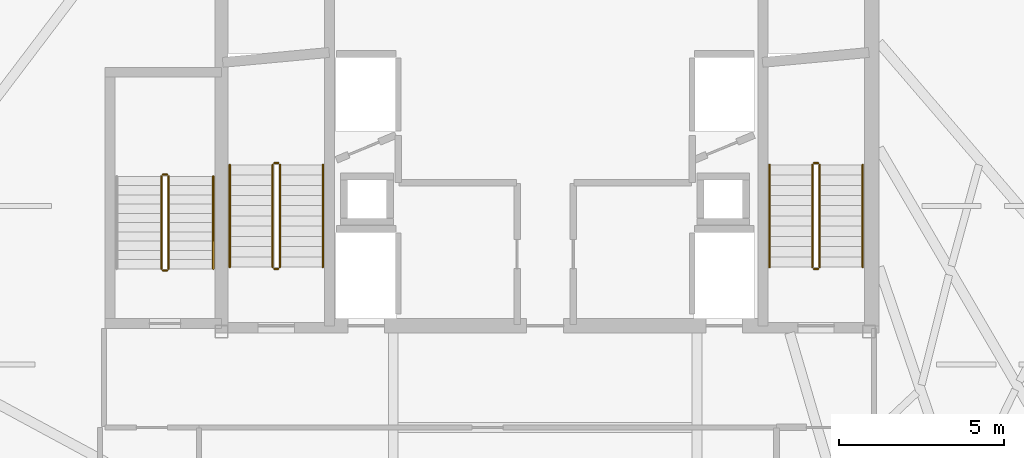
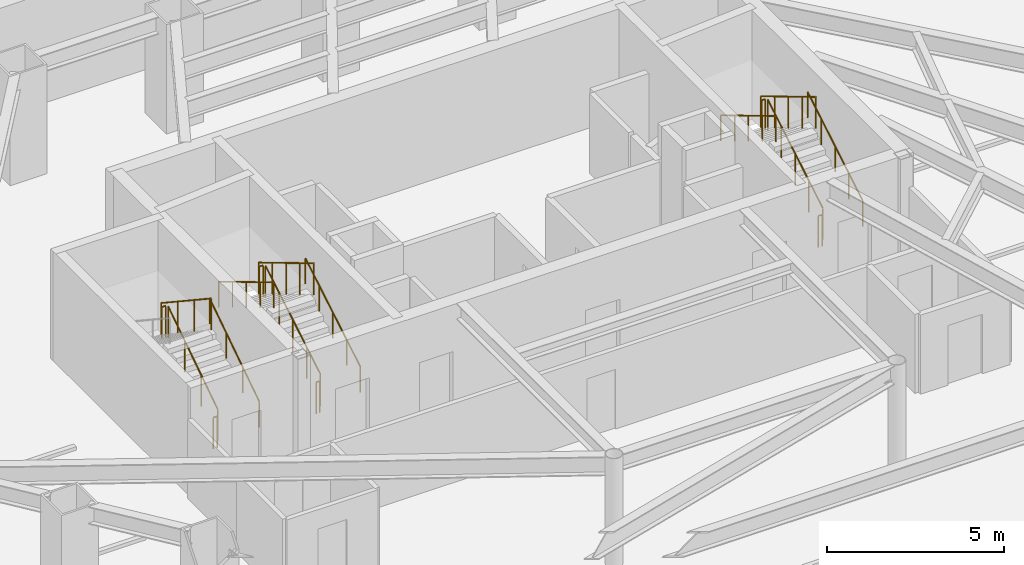
# One storey, part 14 of 15: 17 railings.
"""IFC4 building model written with IfcOpenShell, lengths in metres."""

from ifc_helpers import new_model, si_unit, direction, frame, origin, origin_2d, place, context, subcontext, project, spatial, circle, extrude, material, type_object, element, save


model = new_model("IFC4")

# Units and contexts
model_context = context("Model", 3, precision=1e-05, world=origin(), true_north=direction((0.0, 1.0)))
body_context = subcontext(model_context, "Body", "Model", "MODEL_VIEW")
ifc_project = project(units=[si_unit("LENGTHUNIT", "METRE"), si_unit("AREAUNIT", "SQUARE_METRE"), si_unit("VOLUMEUNIT", "CUBIC_METRE"), si_unit("PLANEANGLEUNIT", "RADIAN"), si_unit("MASSUNIT", "GRAM", prefix="KILO")], contexts=[model_context])

# Site, building, storey
site_placement = place(None, origin())
site = spatial("IfcSite", under=ifc_project, at=site_placement, CompositionType="ELEMENT")
building_placement = place(site_placement, origin())
building = spatial("IfcBuilding", under=site, at=building_placement, Name="Zarrinselat Tower", CompositionType="ELEMENT")
storey_placement = place(building_placement, frame((0.0, 0.0, -4.080078125)))
storey = spatial("IfcBuildingStorey", under=building, at=storey_placement, Name="B01", CompositionType="ELEMENT", Elevation=-4.080078125)

# Railings
ifc_material_1 = material(Name="Steel S355J2", Category="steel")
railing_type_1 = type_object("IfcRailingType", Name="RLG-STAIR-GUARD", PredefinedType="GUARDRAIL", material=ifc_material_1)
railing_1_placement = place(storey_placement, frame((30.3701171875, 35.0, 0.185546875)))
element("IfcRailing", 1, at=railing_1_placement, inside=storey, type_object=railing_type_1, Name="B01 ST-1 stair guard 1", PredefinedType="GUARDRAIL", context=body_context, shape_type="SweptSolid", body=[
    extrude(circle(Radius=0.02392578125, at=origin_2d()), frame((0.0, 0.0, 1.076171875), z_axis=(0.0, 0.858171985069, 0.513362293163), x_axis=(-1.0, 0.0, 0.0)), (0.0, 0.0, 1.0), 3.612548828125),
    extrude(circle(Radius=0.02099609375, at=origin_2d()), origin(), (0.0, 0.0, 1.0), 1.050048828125),
    extrude(circle(Radius=0.02099609375, at=origin_2d()), frame((0.0, 0.77490234375, 0.463623046875)), (0.0, 0.0, 1.0), 1.050048828125),
    extrude(circle(Radius=0.02099609375, at=origin_2d()), frame((0.0, 1.550048828125, 0.92724609375)), (0.0, 0.0, 1.0), 1.050048828125),
    extrude(circle(Radius=0.02099609375, at=origin_2d()), frame((0.0, 2.3251953125, 1.390869140625)), (0.0, 0.0, 1.0), 1.050048828125),
    extrude(circle(Radius=0.02099609375, at=origin_2d()), frame((0.0, 3.10009765625, 1.8544921875)), (0.0, 0.0, 1.0), 1.050048828125),
])
railing_2_placement = place(storey_placement, frame((30.320068359375, 38.14990234375, 2.0400390625)))
element("IfcRailing", 2, at=railing_2_placement, inside=storey, type_object=railing_type_1, Name="B01 ST-1 stair guard 2", PredefinedType="GUARDRAIL", context=body_context, shape_type="SweptSolid", body=[
    extrude(circle(Radius=0.02392578125, at=origin_2d()), frame((0.0, 0.0, 1.076171875), z_axis=(-1.0, 0.0, 0.0), x_axis=(0.0, -1.0, 0.0)), (0.0, 0.0, 1.0), 0.1201171875),
    extrude(circle(Radius=0.02099609375, at=origin_2d()), origin(), (0.0, 0.0, 1.0), 1.050048828125),
    extrude(circle(Radius=0.02099609375, at=origin_2d()), frame((-0.1201171875, 0.0, 0.0)), (0.0, 0.0, 1.0), 1.050048828125),
])
railing_3_placement = place(storey_placement, frame((30.14990234375, 38.10009765625, 2.2255859375)))
element("IfcRailing", 3, at=railing_3_placement, inside=storey, type_object=railing_type_1, Name="B01 ST-1 stair guard 3", PredefinedType="GUARDRAIL", context=body_context, shape_type="SweptSolid", body=[
    extrude(circle(Radius=0.02392578125, at=origin_2d()), frame((0.0, 0.0, 1.076171875), z_axis=(0.0, -0.858171985069, 0.513362293163), x_axis=(1.0, 0.0, 0.0)), (0.0, 0.0, 1.0), 3.612548828125),
    extrude(circle(Radius=0.02099609375, at=origin_2d()), origin(), (0.0, 0.0, 1.0), 1.050048828125),
    extrude(circle(Radius=0.02099609375, at=origin_2d()), frame((0.0, -0.77490234375, 0.463623046875)), (0.0, 0.0, 1.0), 1.050048828125),
    extrude(circle(Radius=0.02099609375, at=origin_2d()), frame((0.0, -1.550048828125, 0.92724609375)), (0.0, 0.0, 1.0), 1.050048828125),
    extrude(circle(Radius=0.02099609375, at=origin_2d()), frame((0.0, -2.3251953125, 1.390869140625)), (0.0, 0.0, 1.0), 1.050048828125),
    extrude(circle(Radius=0.02099609375, at=origin_2d()), frame((0.0, -3.10009765625, 1.8544921875)), (0.0, 0.0, 1.0), 1.050048828125),
])
railing_4_placement = place(storey_placement, frame((30.320068359375, 34.949951171875, 0.0)))
element("IfcRailing", 4, at=railing_4_placement, inside=storey, type_object=railing_type_1, Name="B01 ST-1 stair guard 4", PredefinedType="GUARDRAIL", context=body_context, shape_type="SweptSolid", body=[
    extrude(circle(Radius=0.02392578125, at=origin_2d()), frame((0.0, 0.0, 1.076171875), z_axis=(-1.0, 0.0, 0.0), x_axis=(0.0, -1.0, 0.0)), (0.0, 0.0, 1.0), 0.1201171875),
    extrude(circle(Radius=0.02099609375, at=origin_2d()), origin(), (0.0, 0.0, 1.0), 1.050048828125),
    extrude(circle(Radius=0.02099609375, at=origin_2d()), frame((-0.1201171875, 0.0, 0.0)), (0.0, 0.0, 1.0), 1.050048828125),
])
railing_5_placement = place(storey_placement, frame((46.7099609375, 35.0, 0.185546875)))
element("IfcRailing", 5, at=railing_5_placement, inside=storey, type_object=railing_type_1, Name="B01 ST-2 stair guard 1", PredefinedType="GUARDRAIL", context=body_context, shape_type="SweptSolid", body=[
    extrude(circle(Radius=0.02392578125, at=origin_2d()), frame((0.0, 0.0, 1.076171875), z_axis=(0.0, 0.858171985069, 0.513362293163), x_axis=(-1.0, 0.0, 0.0)), (0.0, 0.0, 1.0), 3.612548828125),
    extrude(circle(Radius=0.02099609375, at=origin_2d()), origin(), (0.0, 0.0, 1.0), 1.050048828125),
    extrude(circle(Radius=0.02099609375, at=origin_2d()), frame((0.0, 0.77490234375, 0.463623046875)), (0.0, 0.0, 1.0), 1.050048828125),
    extrude(circle(Radius=0.02099609375, at=origin_2d()), frame((0.0, 1.550048828125, 0.92724609375)), (0.0, 0.0, 1.0), 1.050048828125),
    extrude(circle(Radius=0.02099609375, at=origin_2d()), frame((0.0, 2.3251953125, 1.390869140625)), (0.0, 0.0, 1.0), 1.050048828125),
    extrude(circle(Radius=0.02099609375, at=origin_2d()), frame((0.0, 3.10009765625, 1.8544921875)), (0.0, 0.0, 1.0), 1.050048828125),
])
railing_6_placement = place(storey_placement, frame((46.659912109375, 38.14990234375, 2.0400390625)))
element("IfcRailing", 6, at=railing_6_placement, inside=storey, type_object=railing_type_1, Name="B01 ST-2 stair guard 2", PredefinedType="GUARDRAIL", context=body_context, shape_type="SweptSolid", body=[
    extrude(circle(Radius=0.02392578125, at=origin_2d()), frame((0.0, 0.0, 1.076171875), z_axis=(-1.0, 0.0, 0.0), x_axis=(0.0, -1.0, 0.0)), (0.0, 0.0, 1.0), 0.119873046875),
    extrude(circle(Radius=0.02099609375, at=origin_2d()), origin(), (0.0, 0.0, 1.0), 1.050048828125),
    extrude(circle(Radius=0.02099609375, at=origin_2d()), frame((-0.119873046875, 0.0, 0.0)), (0.0, 0.0, 1.0), 1.050048828125),
])
railing_7_placement = place(storey_placement, frame((46.489990234375, 38.10009765625, 2.2255859375)))
element("IfcRailing", 7, at=railing_7_placement, inside=storey, type_object=railing_type_1, Name="B01 ST-2 stair guard 3", PredefinedType="GUARDRAIL", context=body_context, shape_type="SweptSolid", body=[
    extrude(circle(Radius=0.02392578125, at=origin_2d()), frame((0.0, 0.0, 1.076171875), z_axis=(0.0, -0.858171985069, 0.513362293163), x_axis=(1.0, 0.0, 0.0)), (0.0, 0.0, 1.0), 3.612548828125),
    extrude(circle(Radius=0.02099609375, at=origin_2d()), origin(), (0.0, 0.0, 1.0), 1.050048828125),
    extrude(circle(Radius=0.02099609375, at=origin_2d()), frame((0.0, -0.77490234375, 0.463623046875)), (0.0, 0.0, 1.0), 1.050048828125),
    extrude(circle(Radius=0.02099609375, at=origin_2d()), frame((0.0, -1.550048828125, 0.92724609375)), (0.0, 0.0, 1.0), 1.050048828125),
    extrude(circle(Radius=0.02099609375, at=origin_2d()), frame((0.0, -2.3251953125, 1.390869140625)), (0.0, 0.0, 1.0), 1.050048828125),
    extrude(circle(Radius=0.02099609375, at=origin_2d()), frame((0.0, -3.10009765625, 1.8544921875)), (0.0, 0.0, 1.0), 1.050048828125),
])
railing_8_placement = place(storey_placement, frame((46.659912109375, 34.949951171875, 0.0)))
element("IfcRailing", 8, at=railing_8_placement, inside=storey, type_object=railing_type_1, Name="B01 ST-2 stair guard 4", PredefinedType="GUARDRAIL", context=body_context, shape_type="SweptSolid", body=[
    extrude(circle(Radius=0.02392578125, at=origin_2d()), frame((0.0, 0.0, 1.076171875), z_axis=(-1.0, 0.0, 0.0), x_axis=(0.0, -1.0, 0.0)), (0.0, 0.0, 1.0), 0.119873046875),
    extrude(circle(Radius=0.02099609375, at=origin_2d()), origin(), (0.0, 0.0, 1.0), 1.050048828125),
    extrude(circle(Radius=0.02099609375, at=origin_2d()), frame((-0.119873046875, 0.0, 0.0)), (0.0, 0.0, 1.0), 1.050048828125),
])
railing_9_placement = place(storey_placement, frame((27.0, 34.949951171875, 0.185546875)))
element("IfcRailing", 9, at=railing_9_placement, inside=storey, type_object=railing_type_1, Name="B01 ST-3 stair guard 1", PredefinedType="GUARDRAIL", context=body_context, shape_type="SweptSolid", body=[
    extrude(circle(Radius=0.02392578125, at=origin_2d()), frame((0.0, 0.0, 1.076171875), z_axis=(0.0, 0.833724036255, 0.552181339209), x_axis=(-1.0, 0.0, 0.0)), (0.0, 0.0, 1.0), 3.3583984375),
    extrude(circle(Radius=0.02099609375, at=origin_2d()), origin(), (0.0, 0.0, 1.0), 1.050048828125),
    extrude(circle(Radius=0.02099609375, at=origin_2d()), frame((0.0, 0.933349609375, 0.6181640625)), (0.0, 0.0, 1.0), 1.050048828125),
    extrude(circle(Radius=0.02099609375, at=origin_2d()), frame((0.0, 1.86669921875, 1.236328125)), (0.0, 0.0, 1.0), 1.050048828125),
    extrude(circle(Radius=0.02099609375, at=origin_2d()), frame((0.0, 2.800048828125, 1.8544921875)), (0.0, 0.0, 1.0), 1.050048828125),
])
railing_10_placement = place(storey_placement, frame((26.949951171875, 37.800048828125, 2.0400390625)))
element("IfcRailing", 10, at=railing_10_placement, inside=storey, type_object=railing_type_1, Name="B01 ST-3 stair guard 2", PredefinedType="GUARDRAIL", context=body_context, shape_type="SweptSolid", body=[
    extrude(circle(Radius=0.02392578125, at=origin_2d()), frame((0.0, 0.0, 1.076171875), z_axis=(-1.0, 0.0, 0.0), x_axis=(0.0, -1.0, 0.0)), (0.0, 0.0, 1.0), 0.119873046875),
    extrude(circle(Radius=0.02099609375, at=origin_2d()), origin(), (0.0, 0.0, 1.0), 1.050048828125),
    extrude(circle(Radius=0.02099609375, at=origin_2d()), frame((-0.119873046875, 0.0, 0.0)), (0.0, 0.0, 1.0), 1.050048828125),
])
railing_11_placement = place(storey_placement, frame((26.780029296875, 37.75, 2.2255859375)))
element("IfcRailing", 11, at=railing_11_placement, inside=storey, type_object=railing_type_1, Name="B01 ST-3 stair guard 3", PredefinedType="GUARDRAIL", context=body_context, shape_type="SweptSolid", body=[
    extrude(circle(Radius=0.02392578125, at=origin_2d()), frame((0.0, 0.0, 1.076171875), z_axis=(0.0, -0.833724036255, 0.552181339209), x_axis=(1.0, 0.0, 0.0)), (0.0, 0.0, 1.0), 3.3583984375),
    extrude(circle(Radius=0.02099609375, at=origin_2d()), origin(), (0.0, 0.0, 1.0), 1.050048828125),
    extrude(circle(Radius=0.02099609375, at=origin_2d()), frame((0.0, -0.933349609375, 0.6181640625)), (0.0, 0.0, 1.0), 1.050048828125),
    extrude(circle(Radius=0.02099609375, at=origin_2d()), frame((0.0, -1.86669921875, 1.236328125)), (0.0, 0.0, 1.0), 1.050048828125),
    extrude(circle(Radius=0.02099609375, at=origin_2d()), frame((0.0, -2.800048828125, 1.8544921875)), (0.0, 0.0, 1.0), 1.050048828125),
])
railing_12_placement = place(storey_placement, frame((26.949951171875, 34.89990234375, 0.0)))
element("IfcRailing", 12, at=railing_12_placement, inside=storey, type_object=railing_type_1, Name="B01 ST-3 stair guard 4", PredefinedType="GUARDRAIL", context=body_context, shape_type="SweptSolid", body=[
    extrude(circle(Radius=0.02392578125, at=origin_2d()), frame((0.0, 0.0, 1.076171875), z_axis=(-1.0, 0.0, 0.0), x_axis=(0.0, -1.0, 0.0)), (0.0, 0.0, 1.0), 0.119873046875),
    extrude(circle(Radius=0.02099609375, at=origin_2d()), origin(), (0.0, 0.0, 1.0), 1.050048828125),
    extrude(circle(Radius=0.02099609375, at=origin_2d()), frame((-0.119873046875, 0.0, 0.0)), (0.0, 0.0, 1.0), 1.050048828125),
])
ifc_material_2 = material(Name="Steel S355J2", Category="steel")
railing_type_2 = type_object("IfcRailingType", Name="RLG-STAIR-HAND", PredefinedType="HANDRAIL", material=ifc_material_2)
railing_13_placement = place(storey_placement, frame((31.669921875, 35.0, 0.185546875)))
element("IfcRailing", 13, at=railing_13_placement, inside=storey, type_object=railing_type_2, Name="B01 ST-1 stair handrail 1", PredefinedType="HANDRAIL", context=body_context, shape_type="SweptSolid", body=[
    extrude(circle(Radius=0.02392578125, at=origin_2d()), frame((0.0, 0.0, 0.8759765625), z_axis=(0.0, 0.858171985069, 0.513362293163), x_axis=(-1.0, 0.0, 0.0)), (0.0, 0.0, 1.0), 3.612548828125),
    extrude(circle(Radius=0.02099609375, at=origin_2d()), origin(), (0.0, 0.0, 1.0), 0.849853515625),
    extrude(circle(Radius=0.02099609375, at=origin_2d()), frame((0.0, 0.77490234375, 0.463623046875)), (0.0, 0.0, 1.0), 0.849853515625),
    extrude(circle(Radius=0.02099609375, at=origin_2d()), frame((0.0, 1.550048828125, 0.92724609375)), (0.0, 0.0, 1.0), 0.849853515625),
    extrude(circle(Radius=0.02099609375, at=origin_2d()), frame((0.0, 2.3251953125, 1.390869140625)), (0.0, 0.0, 1.0), 0.849853515625),
    extrude(circle(Radius=0.02099609375, at=origin_2d()), frame((0.0, 3.10009765625, 1.8544921875)), (0.0, 0.0, 1.0), 0.849853515625),
])
railing_14_placement = place(storey_placement, frame((28.85009765625, 38.10009765625, 2.2255859375)))
element("IfcRailing", 14, at=railing_14_placement, inside=storey, type_object=railing_type_2, Name="B01 ST-1 stair handrail 2", PredefinedType="HANDRAIL", context=body_context, shape_type="SweptSolid", body=[
    extrude(circle(Radius=0.02392578125, at=origin_2d()), frame((0.0, 0.0, 0.8759765625), z_axis=(0.0, -0.858171985069, 0.513362293163), x_axis=(1.0, 0.0, 0.0)), (0.0, 0.0, 1.0), 3.612548828125),
    extrude(circle(Radius=0.02099609375, at=origin_2d()), origin(), (0.0, 0.0, 1.0), 0.849853515625),
    extrude(circle(Radius=0.02099609375, at=origin_2d()), frame((0.0, -0.77490234375, 0.463623046875)), (0.0, 0.0, 1.0), 0.849853515625),
    extrude(circle(Radius=0.02099609375, at=origin_2d()), frame((0.0, -1.550048828125, 0.92724609375)), (0.0, 0.0, 1.0), 0.849853515625),
    extrude(circle(Radius=0.02099609375, at=origin_2d()), frame((0.0, -2.3251953125, 1.390869140625)), (0.0, 0.0, 1.0), 0.849853515625),
    extrude(circle(Radius=0.02099609375, at=origin_2d()), frame((0.0, -3.10009765625, 1.8544921875)), (0.0, 0.0, 1.0), 0.849853515625),
])
railing_15_placement = place(storey_placement, frame((48.010009765625, 35.0, 0.185546875)))
element("IfcRailing", 15, at=railing_15_placement, inside=storey, type_object=railing_type_2, Name="B01 ST-2 stair handrail 1", PredefinedType="HANDRAIL", context=body_context, shape_type="SweptSolid", body=[
    extrude(circle(Radius=0.02392578125, at=origin_2d()), frame((0.0, 0.0, 0.8759765625), z_axis=(0.0, 0.858171985069, 0.513362293163), x_axis=(-1.0, 0.0, 0.0)), (0.0, 0.0, 1.0), 3.612548828125),
    extrude(circle(Radius=0.02099609375, at=origin_2d()), origin(), (0.0, 0.0, 1.0), 0.849853515625),
    extrude(circle(Radius=0.02099609375, at=origin_2d()), frame((0.0, 0.77490234375, 0.463623046875)), (0.0, 0.0, 1.0), 0.849853515625),
    extrude(circle(Radius=0.02099609375, at=origin_2d()), frame((0.0, 1.550048828125, 0.92724609375)), (0.0, 0.0, 1.0), 0.849853515625),
    extrude(circle(Radius=0.02099609375, at=origin_2d()), frame((0.0, 2.3251953125, 1.390869140625)), (0.0, 0.0, 1.0), 0.849853515625),
    extrude(circle(Radius=0.02099609375, at=origin_2d()), frame((0.0, 3.10009765625, 1.8544921875)), (0.0, 0.0, 1.0), 0.849853515625),
])
railing_16_placement = place(storey_placement, frame((45.18994140625, 38.10009765625, 2.2255859375)))
element("IfcRailing", 16, at=railing_16_placement, inside=storey, type_object=railing_type_2, Name="B01 ST-2 stair handrail 2", PredefinedType="HANDRAIL", context=body_context, shape_type="SweptSolid", body=[
    extrude(circle(Radius=0.02392578125, at=origin_2d()), frame((0.0, 0.0, 0.8759765625), z_axis=(0.0, -0.858171985069, 0.513362293163), x_axis=(1.0, 0.0, 0.0)), (0.0, 0.0, 1.0), 3.612548828125),
    extrude(circle(Radius=0.02099609375, at=origin_2d()), origin(), (0.0, 0.0, 1.0), 0.849853515625),
    extrude(circle(Radius=0.02099609375, at=origin_2d()), frame((0.0, -0.77490234375, 0.463623046875)), (0.0, 0.0, 1.0), 0.849853515625),
    extrude(circle(Radius=0.02099609375, at=origin_2d()), frame((0.0, -1.550048828125, 0.92724609375)), (0.0, 0.0, 1.0), 0.849853515625),
    extrude(circle(Radius=0.02099609375, at=origin_2d()), frame((0.0, -2.3251953125, 1.390869140625)), (0.0, 0.0, 1.0), 0.849853515625),
    extrude(circle(Radius=0.02099609375, at=origin_2d()), frame((0.0, -3.10009765625, 1.8544921875)), (0.0, 0.0, 1.0), 0.849853515625),
])
railing_17_placement = place(storey_placement, frame((28.35009765625, 34.949951171875, 0.185546875)))
element("IfcRailing", 17, at=railing_17_placement, inside=storey, type_object=railing_type_2, Name="B01 ST-3 stair handrail 1", PredefinedType="HANDRAIL", context=body_context, shape_type="SweptSolid", body=[
    extrude(circle(Radius=0.02392578125, at=origin_2d()), frame((0.0, 0.0, 0.8759765625), z_axis=(0.0, 0.833724036255, 0.552181339209), x_axis=(-1.0, 0.0, 0.0)), (0.0, 0.0, 1.0), 3.3583984375),
    extrude(circle(Radius=0.02099609375, at=origin_2d()), origin(), (0.0, 0.0, 1.0), 0.849853515625),
    extrude(circle(Radius=0.02099609375, at=origin_2d()), frame((0.0, 0.933349609375, 0.6181640625)), (0.0, 0.0, 1.0), 0.849853515625),
    extrude(circle(Radius=0.02099609375, at=origin_2d()), frame((0.0, 1.86669921875, 1.236328125)), (0.0, 0.0, 1.0), 0.849853515625),
    extrude(circle(Radius=0.02099609375, at=origin_2d()), frame((0.0, 2.800048828125, 1.8544921875)), (0.0, 0.0, 1.0), 0.849853515625),
])

save(model, "model.ifc")
